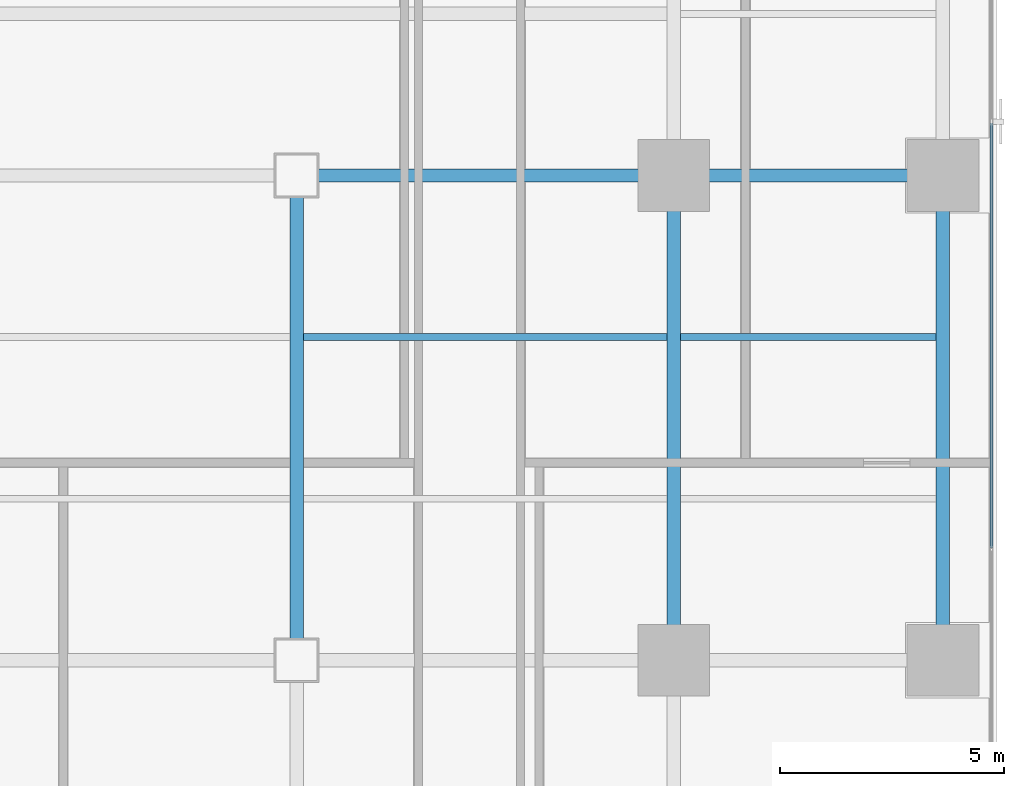
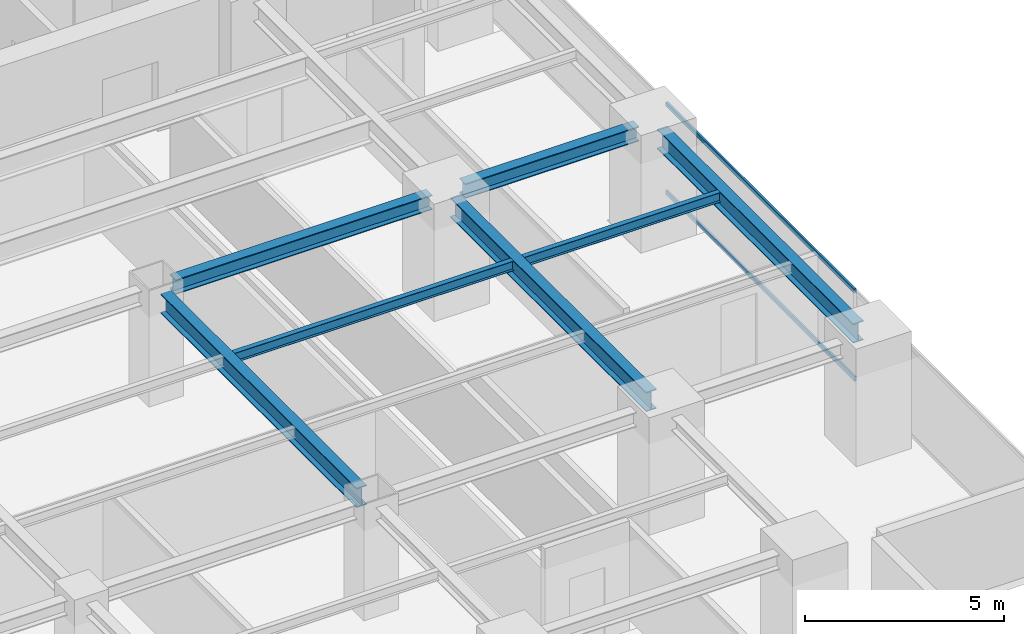
# One storey, part 12 of 28: 7 beams, 2 members, 1 element without a shape of its own.
"""IFC4 building model written with IfcOpenShell, lengths in metres."""

from ifc_helpers import new_model, si_unit, direction, frame, origin, origin_2d, place, context, subcontext, project, spatial, hollow_rectangle, i_section, extrude, source, transform, mapped, material, layer, layer_set, material_profile, profile_set, type_object, element, aggregate, save


model = new_model("IFC4")

# Units and contexts
model_context = context("Model", 3, precision=1e-05, world=origin(), true_north=direction((0.0, 1.0)))
body_context = subcontext(model_context, "Body", "Model", "MODEL_VIEW")
ifc_project = project(units=[si_unit("LENGTHUNIT", "METRE"), si_unit("AREAUNIT", "SQUARE_METRE"), si_unit("VOLUMEUNIT", "CUBIC_METRE"), si_unit("PLANEANGLEUNIT", "RADIAN"), si_unit("MASSUNIT", "GRAM", prefix="KILO")], contexts=[model_context])

# Site, building, storey
site_placement = place(None, origin())
site = spatial("IfcSite", under=ifc_project, at=site_placement, CompositionType="ELEMENT")
building_placement = place(site_placement, origin())
building = spatial("IfcBuilding", under=site, at=building_placement, Name="Sumidabori Civic Tower", CompositionType="ELEMENT")
storey_placement = place(building_placement, frame((0.0, 0.0, 171.199951171875)))
storey = spatial("IfcBuildingStorey", under=building, at=storey_placement, Name="L44", CompositionType="ELEMENT", Elevation=171.199951171875)

# Beams
ifc_material_1 = material(Name="Steel SN490", Category="steel")
ifc_material_profile_1 = material_profile(ifc_material_1, i_section(OverallWidth=0.300048828125, OverallDepth=0.60009765625, WebThickness=0.015380859375, FlangeThickness=0.030029296875, at=origin_2d()), Name="HE 600 B")
ifc_profile_set_1 = profile_set([ifc_material_profile_1], Name="Steel SN490")
beam_type_1 = type_object("IfcBeamType", Name="BM-GIRD-600", PredefinedType="BEAM", material=ifc_profile_set_1)
shared_shape_1 = source(origin(), body_context, "Body", "SweptSolid", [
    extrude(i_section(OverallWidth=0.300048828125, OverallDepth=0.60009765625, WebThickness=0.015380859375, FlangeThickness=0.030029296875, at=origin_2d()), origin(), (0.0, 0.0, 1.0), 9.840087890625),
])
for number, where, z_axis, x_axis, name in (
    (1, (8.39990234375, -10.320068359375, 3.080078125), (0.0, 1.0, 0.0), (-1.0, 0.0, 0.0), "Primary Girder L44 GY-31"),
    (2, (16.800048828125, -10.320068359375, 3.080078125), (0.0, 1.0, 0.0), (-1.0, 0.0, 0.0), "Primary Girder L44 GY-33"),
    (3, (22.800048828125, -10.320068359375, 3.080078125), (0.0, 1.0, 0.0), (-1.0, 0.0, 0.0), "Primary Girder L44 GY-36"),
):
    element("IfcBeam", number, at=place(storey_placement, frame(where, z_axis=z_axis, x_axis=x_axis)), inside=storey, type_object=beam_type_1, Name=name, PredefinedType="BEAM", context=body_context, shape_type="MappedRepresentation", body=[
        mapped(shared_shape_1, transform((0.0, 0.0, 0.0), x_axis=(1.0, 0.0, 0.0), y_axis=(0.0, 1.0, 0.0), z_axis=(0.0, 0.0, 1.0), scale=1.0)),
    ])
ifc_material_profile_2 = material_profile(ifc_material_1, i_section(OverallWidth=0.14990234375, OverallDepth=0.300048828125, WebThickness=0.007080078125, FlangeThickness=0.0107421875, at=origin_2d()), Name="IPE 300")
ifc_profile_set_2 = profile_set([ifc_material_profile_2], Name="Steel SN490")
beam_type_2 = type_object("IfcBeamType", Name="BM-JST-300", PredefinedType="JOIST", material=ifc_profile_set_2)
shared_shape_2 = source(origin(), body_context, "Body", "SweptSolid", [
    extrude(i_section(OverallWidth=0.14990234375, OverallDepth=0.300048828125, WebThickness=0.007080078125, FlangeThickness=0.0107421875, at=origin_2d()), origin(), (0.0, 0.0, 1.0), 5.699951171875),
])
beam_1_placement = place(storey_placement, frame((16.949951171875, -3.60009765625, 3.22998046875), z_axis=(1.0, 0.0, 0.0), x_axis=(0.0, 1.0, 0.0)))
element("IfcBeam", 4, at=beam_1_placement, inside=storey, type_object=beam_type_2, Name="Outer Bay Floor Joist L44 JSTO-42", PredefinedType="JOIST", context=body_context, shape_type="MappedRepresentation", body=[
    mapped(shared_shape_2, transform((0.0, 0.0, 0.0), x_axis=(1.0, 0.0, 0.0), y_axis=(0.0, 1.0, 0.0), z_axis=(0.0, 0.0, 1.0), scale=1.0)),
])
shared_shape_3 = source(origin(), body_context, "Body", "SweptSolid", [
    extrude(i_section(OverallWidth=0.14990234375, OverallDepth=0.300048828125, WebThickness=0.007080078125, FlangeThickness=0.0107421875, at=origin_2d()), origin(), (0.0, 0.0, 1.0), 8.099853515625),
])
beam_2_placement = place(storey_placement, frame((8.550048828125, -3.60009765625, 3.22998046875), z_axis=(1.0, 0.0, 0.0), x_axis=(0.0, 1.0, 0.0)))
element("IfcBeam", 5, at=beam_2_placement, inside=storey, type_object=beam_type_2, Name="South Bay Floor Joist L44 JSTS-60", PredefinedType="JOIST", context=body_context, shape_type="MappedRepresentation", body=[
    mapped(shared_shape_3, transform((0.0, 0.0, 0.0), x_axis=(1.0, 0.0, 0.0), y_axis=(0.0, 1.0, 0.0), z_axis=(0.0, 0.0, 1.0), scale=1.0)),
])
ifc_material_profile_3 = material_profile(ifc_material_1, i_section(OverallWidth=0.300048828125, OverallDepth=0.449951171875, WebThickness=0.013916015625, FlangeThickness=0.02587890625, at=origin_2d()), Name="HE 450 B")
ifc_profile_set_3 = profile_set([ifc_material_profile_3], Name="Steel SN490")
beam_type_3 = type_object("IfcBeamType", Name="BM-GIRD-450", PredefinedType="BEAM", material=ifc_profile_set_3)
shared_shape_4 = source(origin(), body_context, "Body", "SweptSolid", [
    extrude(i_section(OverallWidth=0.300048828125, OverallDepth=0.449951171875, WebThickness=0.013916015625, FlangeThickness=0.02587890625, at=origin_2d()), origin(), (0.0, 0.0, 1.0), 7.440185546875),
])
beam_3_placement = place(storey_placement, frame((8.8798828125, 0.0, 3.155029296875), z_axis=(1.0, 0.0, 0.0), x_axis=(0.0, 1.0, 0.0)))
element("IfcBeam", 6, at=beam_3_placement, inside=storey, type_object=beam_type_3, Name="Primary Girder L44 GX-15", PredefinedType="BEAM", context=body_context, shape_type="MappedRepresentation", body=[
    mapped(shared_shape_4, transform((0.0, 0.0, 0.0), x_axis=(1.0, 0.0, 0.0), y_axis=(0.0, 1.0, 0.0), z_axis=(0.0, 0.0, 1.0), scale=1.0)),
])
shared_shape_5 = source(origin(), body_context, "Body", "SweptSolid", [
    extrude(i_section(OverallWidth=0.300048828125, OverallDepth=0.449951171875, WebThickness=0.013916015625, FlangeThickness=0.02587890625, at=origin_2d()), origin(), (0.0, 0.0, 1.0), 5.0400390625),
])
beam_4_placement = place(storey_placement, frame((17.280029296875, 0.0, 3.155029296875), z_axis=(1.0, 0.0, 0.0), x_axis=(0.0, 1.0, 0.0)))
element("IfcBeam", 7, at=beam_4_placement, inside=storey, type_object=beam_type_3, Name="Primary Girder L44 GX-16", PredefinedType="BEAM", context=body_context, shape_type="MappedRepresentation", body=[
    mapped(shared_shape_5, transform((0.0, 0.0, 0.0), x_axis=(1.0, 0.0, 0.0), y_axis=(0.0, 1.0, 0.0), z_axis=(0.0, 0.0, 1.0), scale=1.0)),
])

# Curtain wall, members
ifc_material_2 = material(Name="Anodised Bronze Aluminium AW-6063-T6", Category="aluminium")
ifc_layer = layer(ifc_material_2, 0.179931640625, Name="Anodised Bronze Aluminium AW-6063-T6")
ifc_layer_set = layer_set([ifc_layer], Name="Anodised Bronze Aluminium AW-6063-T6")
curtain_wall_type = type_object("IfcCurtainWallType", Name="CW-SYS-3", PredefinedType="NOTDEFINED", material=ifc_layer_set)
curtain_wall_placement = place(storey_placement, origin())
curtain_wall = element("IfcCurtainWall", 8, at=curtain_wall_placement, inside=storey, type_object=curtain_wall_type, Name="Curtain Wall CW:L44:R04", PredefinedType="NOTDEFINED")
ifc_material_profile_4 = material_profile(ifc_material_2, hollow_rectangle(XDim=0.06005859375, YDim=0.1298828125, WallThickness=0.0048828125, at=origin_2d()), Name="ALU TRANSOM 130x60")
ifc_profile_set_4 = profile_set([ifc_material_profile_4], Name="Anodised Bronze Aluminium AW-6063-T6")
member_type = type_object("IfcMemberType", Name="CW-TRN-130", PredefinedType="USERDEFINED", material=ifc_profile_set_4)
shared_shape_6 = source(origin(), body_context, "Body", "SweptSolid", [
    extrude(hollow_rectangle(XDim=0.06005859375, YDim=0.1298828125, WallThickness=0.0048828125, at=origin_2d()), origin(), (0.0, 0.0, 1.0), 9.469970703125),
])
member_1_placement = place(storey_placement, frame((23.8798828125, -8.302490234375, 0.030029296875), z_axis=(0.0, 1.0, 0.0), x_axis=(-1.0, 0.0, 0.0)))
member_1 = element("IfcMember", 9, at=member_1_placement, type_object=member_type, Name="CW-3 transom 2.1", ObjectType="TRANSOM", PredefinedType="USERDEFINED", context=body_context, shape_type="MappedRepresentation", body=[
    mapped(shared_shape_6, transform((0.0, 0.0, 0.0), x_axis=(1.0, 0.0, 0.0), y_axis=(0.0, 1.0, 0.0), z_axis=(0.0, 0.0, 1.0), scale=1.0)),
])
member_2_placement = place(storey_placement, frame((23.8798828125, -8.302490234375, 2.72998046875), z_axis=(0.0, 1.0, 0.0), x_axis=(-1.0, 0.0, 0.0)))
member_2 = element("IfcMember", 10, at=member_2_placement, type_object=member_type, Name="CW-3 transom 2.2", ObjectType="TRANSOM", PredefinedType="USERDEFINED", context=body_context, shape_type="MappedRepresentation", body=[
    mapped(shared_shape_6, transform((0.0, 0.0, 0.0), x_axis=(1.0, 0.0, 0.0), y_axis=(0.0, 1.0, 0.0), z_axis=(0.0, 0.0, 1.0), scale=1.0)),
])
aggregate(curtain_wall, [member_1, member_2])

save(model, "model.ifc")
